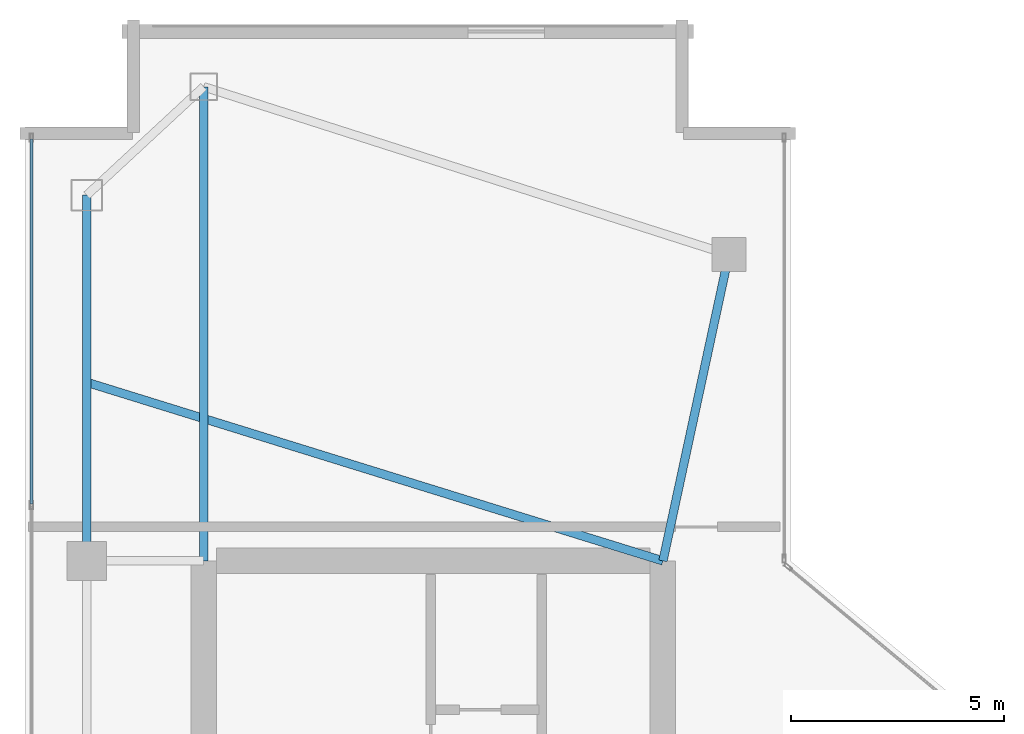
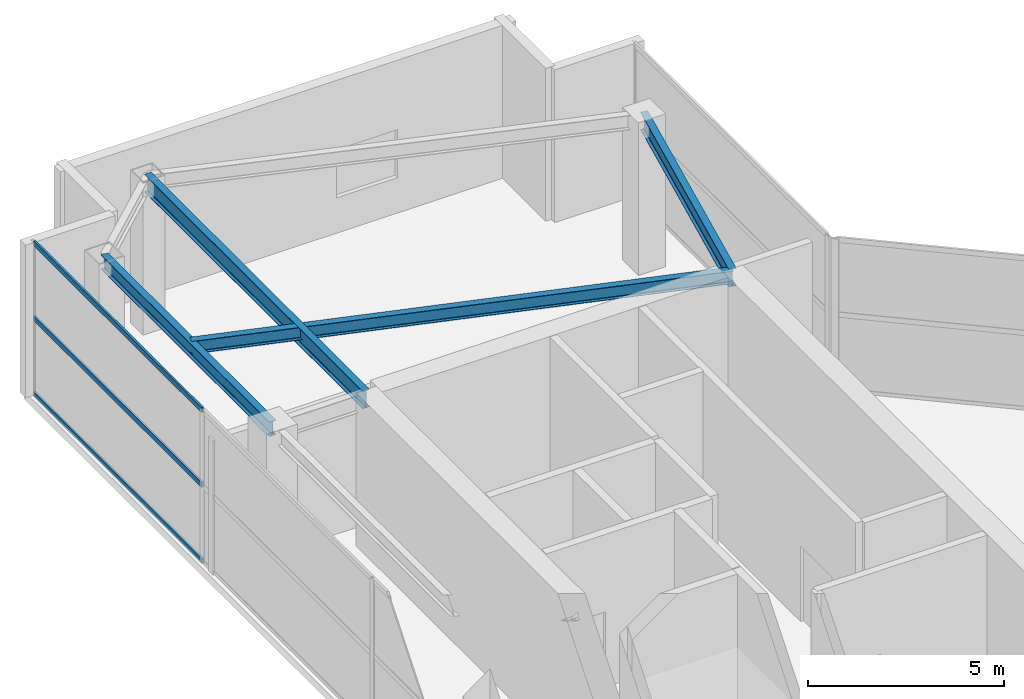
# One storey, part 15 of 21: 4 beams, 3 members, 1 element without a shape of its own.
"""IFC4 building model written with IfcOpenShell, lengths in metres."""

from ifc_helpers import new_model, si_unit, direction, frame, origin, origin_2d, place, context, subcontext, project, spatial, hollow_rectangle, i_section, extrude, material, layer, layer_set, material_profile, profile_set, type_object, element, aggregate, save


model = new_model("IFC4")

# Units and contexts
model_context = context("Model", 3, precision=1e-05, world=origin(), true_north=direction((0.0, 1.0)))
body_context = subcontext(model_context, "Body", "Model", "MODEL_VIEW")
ifc_project = project(units=[si_unit("LENGTHUNIT", "METRE"), si_unit("AREAUNIT", "SQUARE_METRE"), si_unit("VOLUMEUNIT", "CUBIC_METRE"), si_unit("PLANEANGLEUNIT", "RADIAN"), si_unit("MASSUNIT", "GRAM", prefix="KILO")], contexts=[model_context])

# Site, building, storey
site_placement = place(None, origin())
site = spatial("IfcSite", under=ifc_project, at=site_placement, CompositionType="ELEMENT")
building_placement = place(site_placement, origin())
building = spatial("IfcBuilding", under=site, at=building_placement, Name="Calvorn Quay Hotel", CompositionType="ELEMENT")
storey_placement = place(building_placement, frame((0.0, 0.0, 320.5)))
storey = spatial("IfcBuildingStorey", under=building, at=storey_placement, Name="L79", CompositionType="ELEMENT", Elevation=320.5)

# Beams
ifc_material_1 = material(Name="Steel Q355B", Category="steel")
ifc_material_profile_1 = material_profile(ifc_material_1, i_section(OverallWidth=0.199951171875, OverallDepth=0.550048828125, WebThickness=0.010009765625, FlangeThickness=0.01611328125, FilletRadius=0.01806640625, at=origin_2d()), Name="HN550x200x10x16")
ifc_profile_set_1 = profile_set([ifc_material_profile_1], Name="Steel Q355B")
beam_type_1 = type_object("IfcBeamType", Name="BM-GIRD-UPP", PredefinedType="BEAM", material=ifc_profile_set_1)
beam_1_placement = place(storey_placement, frame((4.199951171875, 49.550048828125, 4.465087890625), z_axis=(0.0, -1.0, 0.0), x_axis=(1.0, 0.0, 0.0)))
element("IfcBeam", 1, at=beam_1_placement, inside=storey, type_object=beam_type_1, Name="Beam BG-L79-W5", PredefinedType="BEAM", context=body_context, shape_type="SweptSolid", body=[
    extrude(i_section(OverallWidth=0.199951171875, OverallDepth=0.550048828125, WebThickness=0.010009765625, FlangeThickness=0.01611328125, FilletRadius=0.01806640625, at=origin_2d()), origin(), (0.0, 0.0, 1.0), 11.150146484375),
])
beam_2_placement = place(storey_placement, frame((16.550048828125, 45.60009765625, 4.465087890625), z_axis=(-0.210457140491, -0.97760308511, 0.0), x_axis=(0.97760308511, -0.210457140491, 0.0)))
element("IfcBeam", 2, at=beam_2_placement, inside=storey, type_object=beam_type_1, Name="Beam BG-L79-W6", PredefinedType="BEAM", context=body_context, shape_type="SweptSolid", body=[
    extrude(i_section(OverallWidth=0.199951171875, OverallDepth=0.550048828125, WebThickness=0.010009765625, FlangeThickness=0.01611328125, FilletRadius=0.01806640625, at=origin_2d()), origin(), (0.0, 0.0, 1.0), 7.365234375),
])
ifc_material_2 = material(Name="Steel Q355B", Category="steel")
ifc_material_profile_2 = material_profile(ifc_material_2, i_section(OverallWidth=0.199951171875, OverallDepth=0.39990234375, WebThickness=0.008056640625, FlangeThickness=0.012939453125, FilletRadius=0.01611328125, at=origin_2d()), Name="HN400x200x8x13")
ifc_profile_set_2 = profile_set([ifc_material_profile_2], Name="Steel Q355B")
beam_type_2 = type_object("IfcBeamType", Name="BM-JOIST-TYP", PredefinedType="JOIST", material=ifc_profile_set_2)
beam_3_placement = place(storey_placement, frame((1.449951171875, 42.60009765625, 4.5400390625), z_axis=(0.955163702122, -0.296078202759, 0.0), x_axis=(0.296078202759, 0.955163702122, 0.0)))
element("IfcBeam", 3, at=beam_3_placement, inside=storey, type_object=beam_type_2, Name="Beam BJ-L79-W2", PredefinedType="JOIST", context=body_context, shape_type="SweptSolid", body=[
    extrude(i_section(OverallWidth=0.199951171875, OverallDepth=0.39990234375, WebThickness=0.008056640625, FlangeThickness=0.012939453125, FilletRadius=0.01611328125, at=origin_2d()), origin(), (0.0, 0.0, 1.0), 14.18603515625),
])
ifc_material_3 = material(Name="Steel Q355B", Category="steel")
ifc_material_profile_3 = material_profile(ifc_material_3, i_section(OverallWidth=0.199951171875, OverallDepth=0.449951171875, WebThickness=0.009033203125, FlangeThickness=0.013916015625, FilletRadius=0.01611328125, at=origin_2d()), Name="HN450x200x9x14")
ifc_profile_set_3 = profile_set([ifc_material_profile_3], Name="Steel Q355B")
beam_type_3 = type_object("IfcBeamType", Name="BM-SPANDREL-Z3", PredefinedType="SPANDREL", material=ifc_profile_set_3)
beam_4_placement = place(storey_placement, frame((1.449951171875, 38.39990234375, 4.514892578125), z_axis=(0.0, 1.0, 0.0), x_axis=(-1.0, 0.0, 0.0)))
element("IfcBeam", 4, at=beam_4_placement, inside=storey, type_object=beam_type_3, Name="Beam BSP-L79-W4", PredefinedType="SPANDREL", context=body_context, shape_type="SweptSolid", body=[
    extrude(i_section(OverallWidth=0.199951171875, OverallDepth=0.449951171875, WebThickness=0.009033203125, FlangeThickness=0.013916015625, FilletRadius=0.01611328125, at=origin_2d()), origin(), (0.0, 0.0, 1.0), 8.60009765625),
])

# Curtain wall, members
ifc_material_4 = material(Name="Pale Anodised Aluminium and Laminated Glass", Category="aluminium")
ifc_layer = layer(ifc_material_4, 0.219970703125)
ifc_layer_set = layer_set([ifc_layer], Name="CW-SYS-CRN")
curtain_wall_type = type_object("IfcCurtainWallType", Name="CW-SYS-CRN", PredefinedType="NOTDEFINED", material=ifc_layer_set)
curtain_wall_placement = place(storey_placement, origin())
curtain_wall = element("IfcCurtainWall", 5, at=curtain_wall_placement, inside=storey, type_object=curtain_wall_type, Name="Crown Curtain Wall L79-C5", PredefinedType="NOTDEFINED")
ifc_material_5 = material(Name="Pale Anodised Aluminium 6063-T6", Category="aluminium")
ifc_material_profile_4 = material_profile(ifc_material_5, hollow_rectangle(XDim=0.06201171875, YDim=0.159912109375, WallThickness=0.00341796875, at=origin_2d()), Name="ALU-T160x62x3.5")
ifc_profile_set_4 = profile_set([ifc_material_profile_4], Name="Pale Anodised Aluminium 6063-T6")
member_type = type_object("IfcMemberType", Name="CW-SYS-CRN-TRN", PredefinedType="USERDEFINED", material=ifc_profile_set_4)
member_1_placement = place(storey_placement, frame((0.14990234375, 48.320068359375, 0.030029296875), z_axis=(0.0, -1.0, 0.0), x_axis=(1.0, 0.0, 0.0)))
member_1 = element("IfcMember", 6, at=member_1_placement, type_object=member_type, Name="CW-L79-C5 transom 1.1", ObjectType="TRANSOM", PredefinedType="USERDEFINED", context=body_context, shape_type="SweptSolid", body=[
    extrude(hollow_rectangle(XDim=0.06201171875, YDim=0.159912109375, WallThickness=0.00341796875, at=origin_2d()), origin(), (0.0, 0.0, 1.0), 8.58203125),
])
member_2_placement = place(storey_placement, frame((0.14990234375, 48.320068359375, 2.39990234375), z_axis=(0.0, -1.0, 0.0), x_axis=(1.0, 0.0, 0.0)))
member_2 = element("IfcMember", 7, at=member_2_placement, type_object=member_type, Name="CW-L79-C5 transom 1.2", ObjectType="TRANSOM", PredefinedType="USERDEFINED", context=body_context, shape_type="SweptSolid", body=[
    extrude(hollow_rectangle(XDim=0.06201171875, YDim=0.159912109375, WallThickness=0.00341796875, at=origin_2d()), origin(), (0.0, 0.0, 1.0), 8.58203125),
])
member_3_placement = place(storey_placement, frame((0.14990234375, 48.320068359375, 4.72998046875), z_axis=(0.0, -1.0, 0.0), x_axis=(1.0, 0.0, 0.0)))
member_3 = element("IfcMember", 8, at=member_3_placement, type_object=member_type, Name="CW-L79-C5 transom 1.3", ObjectType="TRANSOM", PredefinedType="USERDEFINED", context=body_context, shape_type="SweptSolid", body=[
    extrude(hollow_rectangle(XDim=0.06201171875, YDim=0.159912109375, WallThickness=0.00341796875, at=origin_2d()), origin(), (0.0, 0.0, 1.0), 8.58203125),
])
aggregate(curtain_wall, [member_1, member_2, member_3])

save(model, "model.ifc")
